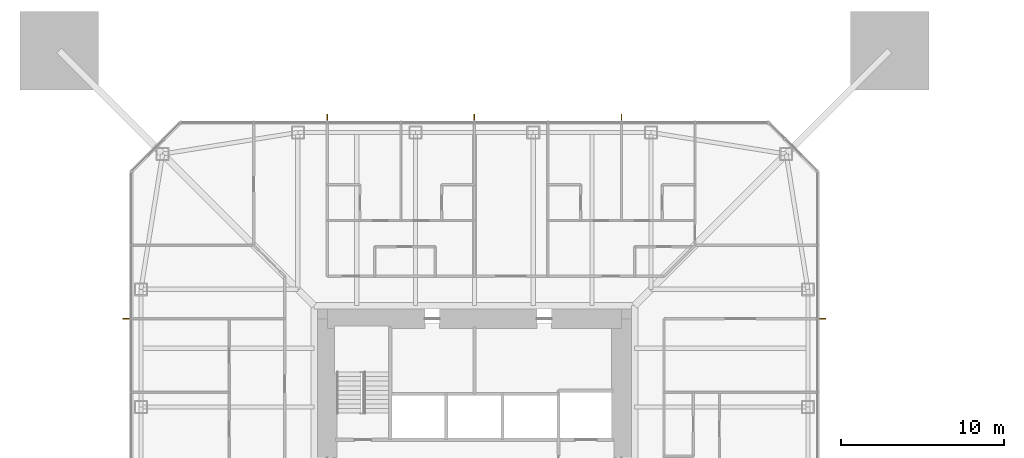
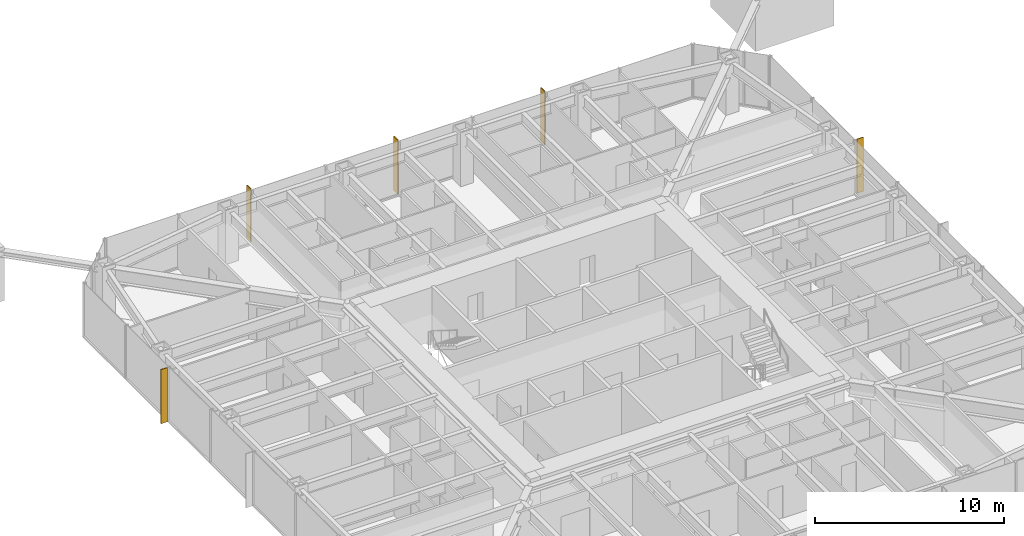
# One storey, part 24 of 25: 5 shading devices.
"""IFC4 building model written with IfcOpenShell, lengths in metres."""

from ifc_helpers import new_model, si_unit, direction, frame, origin, origin_2d, place, context, subcontext, project, spatial, rectangle, extrude, material, layer, layer_set, type_object, element, save


model = new_model("IFC4")

# Units and contexts
model_context = context("Model", 3, precision=1e-05, world=origin(), true_north=direction((0.0, 1.0)))
body_context = subcontext(model_context, "Body", "Model", "MODEL_VIEW")
ifc_project = project(units=[si_unit("LENGTHUNIT", "METRE"), si_unit("AREAUNIT", "SQUARE_METRE"), si_unit("VOLUMEUNIT", "CUBIC_METRE"), si_unit("PLANEANGLEUNIT", "RADIAN"), si_unit("MASSUNIT", "GRAM", prefix="KILO")], contexts=[model_context])

# Site, building, storey
site_placement = place(None, origin())
site = spatial("IfcSite", under=ifc_project, at=site_placement, CompositionType="ELEMENT")
building_placement = place(site_placement, origin())
building = spatial("IfcBuilding", under=site, at=building_placement, Name="Iwan Alto Co-Living Towers", CompositionType="ELEMENT")
storey_placement = place(building_placement, frame((0.0, 0.0, 105.0)))
storey = spatial("IfcBuildingStorey", under=building, at=storey_placement, Name="L28", CompositionType="ELEMENT", Elevation=105.0)

# Shading devices
ifc_material = material(Name="Aluminium 6063-T6 bronze anodised", Category="aluminium")
ifc_layer = layer(ifc_material, 0.050048828125)
ifc_layer_set = layer_set([ifc_layer], Name="BRONZE FIN 50X400")
shading_device_type = type_object("IfcShadingDeviceType", Name="BRONZE FIN 50X400", PredefinedType="USERDEFINED", material=ifc_layer_set)
for number, where, z_axis, x_axis, name in (
    (1, (21.300048828125, 9.0, 0.0), (0.0, 0.0, 1.0), (0.0, 1.0, 0.0), "Bronze fin L28"),
    (2, (9.0, 21.300048828125, 0.0), (0.0, 0.0, 1.0), (-1.0, 0.0, 0.0), "Bronze fin L28"),
    (3, (0.0, 21.300048828125, 0.0), (0.0, 0.0, 1.0), (-1.0, 0.0, 0.0), "Bronze fin L28"),
    (4, (-9.0, 21.300048828125, 0.0), (0.0, 0.0, 1.0), (-1.0, 0.0, 0.0), "Bronze fin L28"),
    (5, (-21.300048828125, 9.0, 0.0), (0.0, 0.0, 1.0), (0.0, -1.0, 0.0), "Bronze fin L28"),
):
    element("IfcShadingDevice", number, at=place(storey_placement, frame(where, z_axis=z_axis, x_axis=x_axis)), inside=storey, type_object=shading_device_type, Name=name, ObjectType="LOUVER", PredefinedType="USERDEFINED", context=body_context, shape_type="SweptSolid", body=[
        extrude(rectangle(XDim=0.050048828125, YDim=0.39990234375, at=origin_2d()), origin(), (0.0, 0.0, 1.0), 3.5),
    ])

save(model, "model.ifc")
